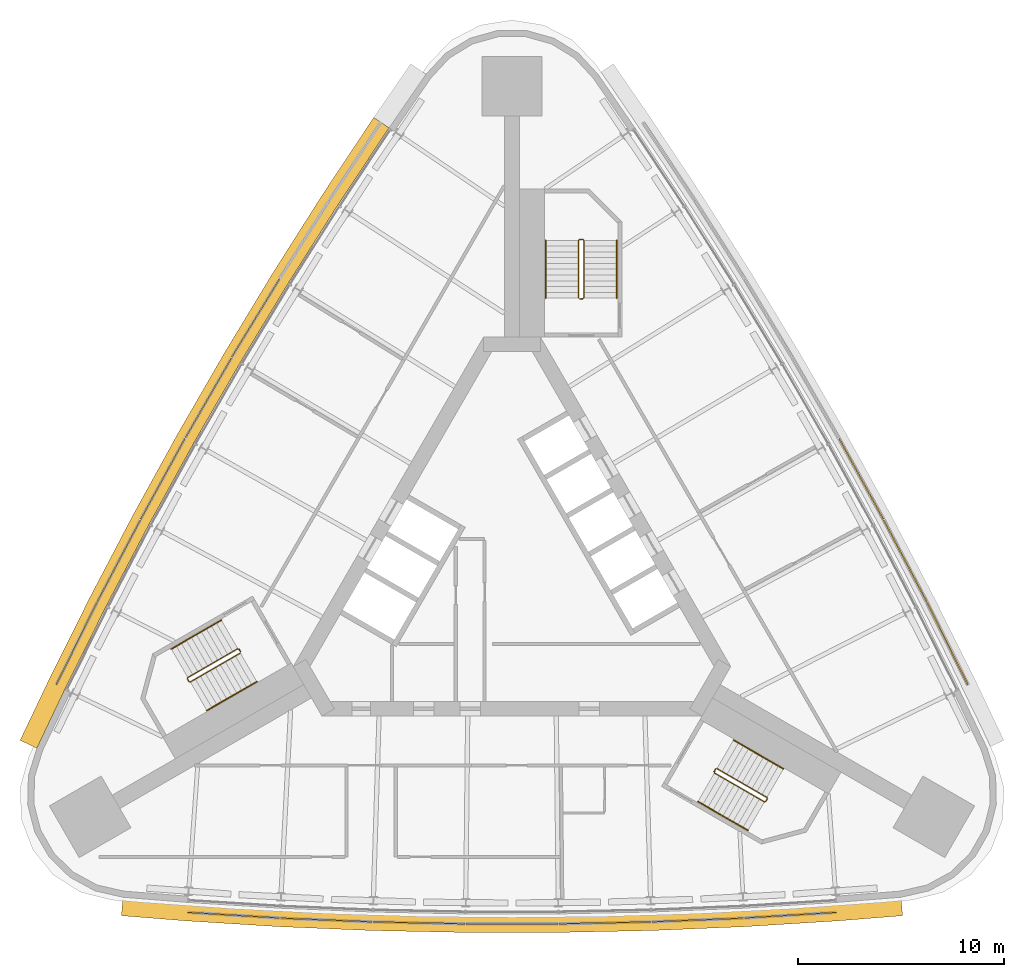
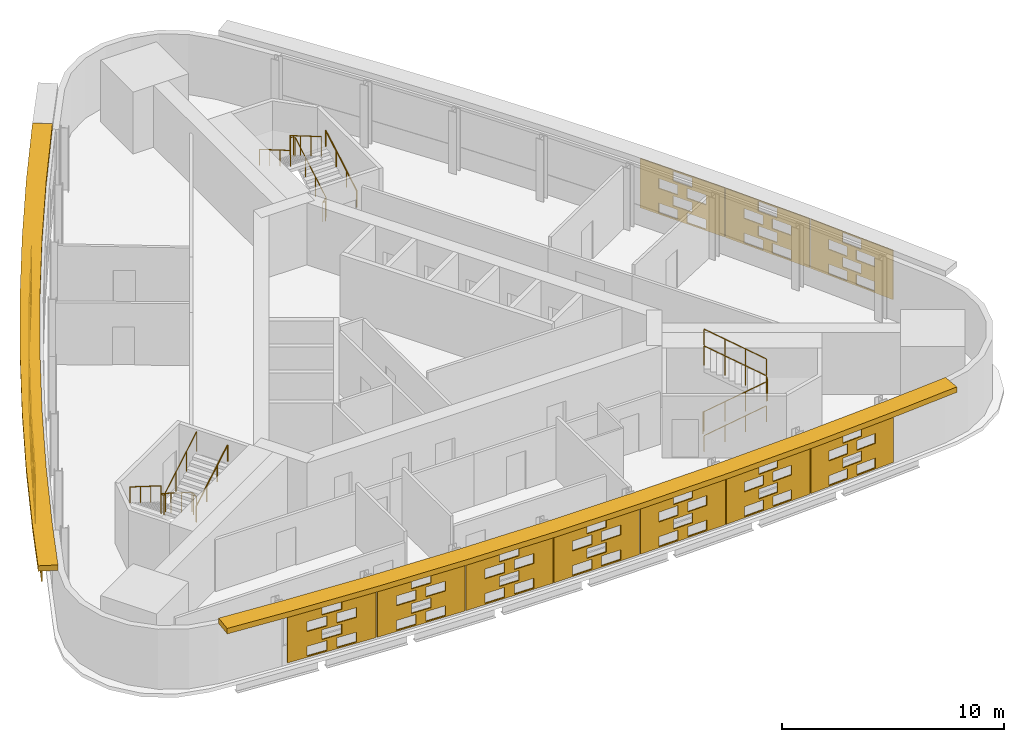
# One storey, part 11 of 12: 17 shading devices, 9 railings.
"""IFC4 building model written with IfcOpenShell, lengths in metres."""

from ifc_helpers import new_model, si_unit, direction, frame, origin, origin_2d, place, context, subcontext, project, spatial, polyline, circle, outline, extrude, material, material_profile, profile_set, type_object, element, save


model = new_model("IFC4")

# Units and contexts
model_context = context("Model", 3, precision=1e-05, world=origin(), true_north=direction((0.0, 1.0)))
body_context = subcontext(model_context, "Body", "Model", "MODEL_VIEW")
ifc_project = project(units=[si_unit("LENGTHUNIT", "METRE"), si_unit("AREAUNIT", "SQUARE_METRE"), si_unit("VOLUMEUNIT", "CUBIC_METRE"), si_unit("PLANEANGLEUNIT", "RADIAN"), si_unit("MASSUNIT", "GRAM", prefix="KILO")], contexts=[model_context])

# Site, building, storey
site_placement = place(None, origin())
site = spatial("IfcSite", under=ifc_project, at=site_placement, CompositionType="ELEMENT")
building_placement = place(site_placement, origin())
building = spatial("IfcBuilding", under=site, at=building_placement, Name="Noor Cloister Tower", CompositionType="ELEMENT")
storey_placement = place(building_placement, frame((0.0, 0.0, 150.89990234375)))
storey = spatial("IfcBuildingStorey", under=building, at=storey_placement, Name="L38", CompositionType="ELEMENT", Elevation=150.89990234375)

# Shading devices
ifc_material_1 = material(Name="Limestone", Category="masonry")
ifc_material_profile = material_profile(ifc_material_1, outline(polyline([(-2.22998046875, -1.35009765625), (2.22998046875, -1.35009765625), (2.22998046875, 1.35009765625), (-2.22998046875, 1.35009765625), (-2.22998046875, -1.35009765625)]), holes=[polyline([(-1.25, -1.282470703125), (-0.25, -1.282470703125), (-0.25, -0.742431640625), (-1.25, -0.742431640625), (-1.25, -1.282470703125)]), polyline([(0.25, -1.282470703125), (1.25, -1.282470703125), (1.25, -0.742431640625), (0.25, -0.742431640625), (0.25, -1.282470703125)]), polyline([(-0.5, -0.607421875), (0.5, -0.607421875), (0.5, -0.0673828125), (-0.5, -0.0673828125), (-0.5, -0.607421875)]), polyline([(-1.25, 0.0673828125), (-0.25, 0.0673828125), (-0.25, 0.607421875), (-1.25, 0.607421875), (-1.25, 0.0673828125)]), polyline([(0.25, 0.0673828125), (1.25, 0.0673828125), (1.25, 0.607421875), (0.25, 0.607421875), (0.25, 0.0673828125)]), polyline([(-0.5, 0.742431640625), (0.5, 0.742431640625), (0.5, 1.282470703125), (-0.5, 1.282470703125), (-0.5, 0.742431640625)])]), Name="Woven screen 30 percent open")
ifc_profile_set = profile_set([ifc_material_profile], Name="Limestone")
shading_device_type_1 = type_object("IfcShadingDeviceType", Name="SCREEN woven limestone 30 percent open", PredefinedType="USERDEFINED", material=ifc_profile_set)
for number, where, z_axis, x_axis, name in (
    (1, (-12.4150390625, 12.3740234375, 1.85009765625), (-0.853884327381, 0.520462828118, 0.0), (-0.520462828118, -0.853884327381, 0.0), "SCREEN L38 3"),
    (2, (-14.7099609375, 8.49267578125, 1.85009765625), (-0.865982457891, 0.500074377092, 0.0), (-0.500074377092, -0.865982457891, 0.0), "SCREEN L38 4"),
):
    element("IfcShadingDevice", number, at=place(storey_placement, frame(where, z_axis=z_axis, x_axis=x_axis)), inside=storey, type_object=shading_device_type_1, Name=name, ObjectType="SCREEN", PredefinedType="USERDEFINED", context=body_context, shape_type="SweptSolid", body=[
        extrude(outline(polyline([(-2.22998046875, -1.35009765625), (2.22998046875, -1.35009765625), (2.22998046875, 1.35009765625), (-2.22998046875, 1.35009765625), (-2.22998046875, -1.35009765625)]), holes=[polyline([(-1.25, -1.282470703125), (-0.25, -1.282470703125), (-0.25, -0.742431640625), (-1.25, -0.742431640625), (-1.25, -1.282470703125)]), polyline([(0.25, -1.282470703125), (1.25, -1.282470703125), (1.25, -0.742431640625), (0.25, -0.742431640625), (0.25, -1.282470703125)]), polyline([(-0.5, -0.607421875), (0.5, -0.607421875), (0.5, -0.0673828125), (-0.5, -0.0673828125), (-0.5, -0.607421875)]), polyline([(-1.25, 0.0673828125), (-0.25, 0.0673828125), (-0.25, 0.607421875), (-1.25, 0.607421875), (-1.25, 0.0673828125)]), polyline([(0.25, 0.0673828125), (1.25, 0.0673828125), (1.25, 0.607421875), (0.25, 0.607421875), (0.25, 0.0673828125)]), polyline([(-0.5, 0.742431640625), (0.5, 0.742431640625), (0.5, 1.282470703125), (-0.5, 1.282470703125), (-0.5, 0.742431640625)])]), origin(), (0.0, 0.0, 1.0), 0.06005859375),
    ])
for number, where, z_axis, x_axis, name in (
    (3, (-16.923828125, 4.564697265625, 1.85009765625), (-0.876645997325, 0.481135942718, 0.0), (-0.481135942718, -0.876645997325, 0.0), "SCREEN L38 5"),
    (4, (-19.055908203125, 0.591552734375, 1.85009765625), (-0.885271944608, 0.465073740486, 0.0), (-0.465073740486, -0.885271944608, 0.0), "SCREEN L38 6"),
):
    element("IfcShadingDevice", number, at=place(storey_placement, frame(where, z_axis=z_axis, x_axis=x_axis)), inside=storey, type_object=shading_device_type_1, Name=name, ObjectType="SCREEN", PredefinedType="USERDEFINED", context=body_context, shape_type="SweptSolid", body=[
        extrude(outline(polyline([(-2.22998046875, -1.35009765625), (2.22998046875, -1.35009765625), (2.22998046875, 1.35009765625), (-2.22998046875, 1.35009765625), (-2.22998046875, -1.35009765625)]), holes=[polyline([(-1.25, -1.282470703125), (-0.25, -1.282470703125), (-0.25, -0.742431640625), (-1.25, -0.742431640625), (-1.25, -1.282470703125)]), polyline([(0.25, -1.282470703125), (1.25, -1.282470703125), (1.25, -0.742431640625), (0.25, -0.742431640625), (0.25, -1.282470703125)]), polyline([(-0.5, -0.607421875), (0.5, -0.607421875), (0.5, -0.0673828125), (-0.5, -0.0673828125), (-0.5, -0.607421875)]), polyline([(-1.25, 0.0673828125), (-0.25, 0.0673828125), (-0.25, 0.607421875), (-1.25, 0.607421875), (-1.25, 0.0673828125)]), polyline([(0.25, 0.0673828125), (1.25, 0.0673828125), (1.25, 0.607421875), (0.25, 0.607421875), (0.25, 0.0673828125)]), polyline([(-0.5, 0.742431640625), (0.5, 0.742431640625), (0.5, 1.282470703125), (-0.5, 1.282470703125), (-0.5, 0.742431640625)])]), origin(), (0.0, 0.0, 1.0), 0.059814453125),
    ])
for number, where, z_axis, x_axis, name in (
    (5, (-21.10498046875, -3.4248046875, 1.85009765625), (-0.896050438544, 0.443952262733, 0.0), (-0.443952262733, -0.896050438544, 0.0), "SCREEN L38 7"),
    (6, (-13.5185546875, -16.56494140625, 1.85009765625), (-0.060862570451, -0.998146155389, 0.0), (0.998146155389, -0.060862570451, 0.0), "SCREEN L38 1"),
    (7, (-9.015625, -16.798583984375, 1.85009765625), (-0.040616861577, -0.999174794796, 0.0), (0.999174794796, -0.040616861577, 0.0), "SCREEN L38 2"),
    (8, (-4.5087890625, -16.938720703125, 1.85009765625), (-0.020321006241, -0.999793507033, 0.0), (0.999793507033, -0.020321006241, 0.0), "SCREEN L38 3"),
):
    element("IfcShadingDevice", number, at=place(storey_placement, frame(where, z_axis=z_axis, x_axis=x_axis)), inside=storey, type_object=shading_device_type_1, Name=name, ObjectType="SCREEN", PredefinedType="USERDEFINED", context=body_context, shape_type="SweptSolid", body=[
        extrude(outline(polyline([(-2.22998046875, -1.35009765625), (2.22998046875, -1.35009765625), (2.22998046875, 1.35009765625), (-2.22998046875, 1.35009765625), (-2.22998046875, -1.35009765625)]), holes=[polyline([(-1.25, -1.282470703125), (-0.25, -1.282470703125), (-0.25, -0.742431640625), (-1.25, -0.742431640625), (-1.25, -1.282470703125)]), polyline([(0.25, -1.282470703125), (1.25, -1.282470703125), (1.25, -0.742431640625), (0.25, -0.742431640625), (0.25, -1.282470703125)]), polyline([(-0.5, -0.607421875), (0.5, -0.607421875), (0.5, -0.0673828125), (-0.5, -0.0673828125), (-0.5, -0.607421875)]), polyline([(-1.25, 0.0673828125), (-0.25, 0.0673828125), (-0.25, 0.607421875), (-1.25, 0.607421875), (-1.25, 0.0673828125)]), polyline([(0.25, 0.0673828125), (1.25, 0.0673828125), (1.25, 0.607421875), (0.25, 0.607421875), (0.25, 0.0673828125)]), polyline([(-0.5, 0.742431640625), (0.5, 0.742431640625), (0.5, 1.282470703125), (-0.5, 1.282470703125), (-0.5, 0.742431640625)])]), origin(), (0.0, 0.0, 1.0), 0.06005859375),
    ])
shading_device_1_placement = place(storey_placement, frame((0.0, -16.985595703125, 1.85009765625), z_axis=(0.0, -1.0, 0.0), x_axis=(1.0, 0.0, 0.0)))
element("IfcShadingDevice", 9, at=shading_device_1_placement, inside=storey, type_object=shading_device_type_1, Name="SCREEN L38 4", ObjectType="SCREEN", PredefinedType="USERDEFINED", context=body_context, shape_type="SweptSolid", body=[
    extrude(outline(polyline([(-2.22998046875, -1.35009765625), (2.22998046875, -1.35009765625), (2.22998046875, 1.35009765625), (-2.22998046875, 1.35009765625), (-2.22998046875, -1.35009765625)]), holes=[polyline([(-1.25, -1.282470703125), (-0.25, -1.282470703125), (-0.25, -0.742431640625), (-1.25, -0.742431640625), (-1.25, -1.282470703125)]), polyline([(0.25, -1.282470703125), (1.25, -1.282470703125), (1.25, -0.742431640625), (0.25, -0.742431640625), (0.25, -1.282470703125)]), polyline([(-0.5, -0.607421875), (0.5, -0.607421875), (0.5, -0.0673828125), (-0.5, -0.0673828125), (-0.5, -0.607421875)]), polyline([(-1.25, 0.0673828125), (-0.25, 0.0673828125), (-0.25, 0.607421875), (-1.25, 0.607421875), (-1.25, 0.0673828125)]), polyline([(0.25, 0.0673828125), (1.25, 0.0673828125), (1.25, 0.607421875), (0.25, 0.607421875), (0.25, 0.0673828125)]), polyline([(-0.5, 0.742431640625), (0.5, 0.742431640625), (0.5, 1.282470703125), (-0.5, 1.282470703125), (-0.5, 0.742431640625)])]), origin(), (0.0, 0.0, 1.0), 0.059814453125),
])
for number, where, z_axis, x_axis, name in (
    (10, (4.5087890625, -16.938720703125, 1.85009765625), (0.020321006241, -0.999793507033, 0.0), (0.999793507033, 0.020321006241, 0.0), "SCREEN L38 5"),
    (11, (9.015625, -16.798583984375, 1.85009765625), (0.040616861577, -0.999174794796, 0.0), (0.999174794796, 0.040616861577, 0.0), "SCREEN L38 6"),
    (12, (13.5185546875, -16.56494140625, 1.85009765625), (0.060862570451, -0.998146155389, 0.0), (0.998146155389, 0.060862570451, 0.0), "SCREEN L38 7"),
    (13, (21.10498046875, -3.4248046875, 1.85009765625), (0.896050438544, 0.443952262733, 0.0), (-0.443952262733, 0.896050438544, 0.0), "SCREEN L38 1"),
):
    element("IfcShadingDevice", number, at=place(storey_placement, frame(where, z_axis=z_axis, x_axis=x_axis)), inside=storey, type_object=shading_device_type_1, Name=name, ObjectType="SCREEN", PredefinedType="USERDEFINED", context=body_context, shape_type="SweptSolid", body=[
        extrude(outline(polyline([(-2.22998046875, -1.35009765625), (2.22998046875, -1.35009765625), (2.22998046875, 1.35009765625), (-2.22998046875, 1.35009765625), (-2.22998046875, -1.35009765625)]), holes=[polyline([(-1.25, -1.282470703125), (-0.25, -1.282470703125), (-0.25, -0.742431640625), (-1.25, -0.742431640625), (-1.25, -1.282470703125)]), polyline([(0.25, -1.282470703125), (1.25, -1.282470703125), (1.25, -0.742431640625), (0.25, -0.742431640625), (0.25, -1.282470703125)]), polyline([(-0.5, -0.607421875), (0.5, -0.607421875), (0.5, -0.0673828125), (-0.5, -0.0673828125), (-0.5, -0.607421875)]), polyline([(-1.25, 0.0673828125), (-0.25, 0.0673828125), (-0.25, 0.607421875), (-1.25, 0.607421875), (-1.25, 0.0673828125)]), polyline([(0.25, 0.0673828125), (1.25, 0.0673828125), (1.25, 0.607421875), (0.25, 0.607421875), (0.25, 0.0673828125)]), polyline([(-0.5, 0.742431640625), (0.5, 0.742431640625), (0.5, 1.282470703125), (-0.5, 1.282470703125), (-0.5, 0.742431640625)])]), origin(), (0.0, 0.0, 1.0), 0.06005859375),
    ])
for number, where, z_axis, x_axis, name in (
    (14, (19.055908203125, 0.591552734375, 1.85009765625), (0.885271944608, 0.465073740486, 0.0), (-0.465073740486, 0.885271944608, 0.0), "SCREEN L38 2"),
    (15, (16.923828125, 4.564697265625, 1.85009765625), (0.876645997325, 0.481135942718, 0.0), (-0.481135942718, 0.876645997325, 0.0), "SCREEN L38 3"),
):
    element("IfcShadingDevice", number, at=place(storey_placement, frame(where, z_axis=z_axis, x_axis=x_axis)), inside=storey, type_object=shading_device_type_1, Name=name, ObjectType="SCREEN", PredefinedType="USERDEFINED", context=body_context, shape_type="SweptSolid", body=[
        extrude(outline(polyline([(-2.22998046875, -1.35009765625), (2.22998046875, -1.35009765625), (2.22998046875, 1.35009765625), (-2.22998046875, 1.35009765625), (-2.22998046875, -1.35009765625)]), holes=[polyline([(-1.25, -1.282470703125), (-0.25, -1.282470703125), (-0.25, -0.742431640625), (-1.25, -0.742431640625), (-1.25, -1.282470703125)]), polyline([(0.25, -1.282470703125), (1.25, -1.282470703125), (1.25, -0.742431640625), (0.25, -0.742431640625), (0.25, -1.282470703125)]), polyline([(-0.5, -0.607421875), (0.5, -0.607421875), (0.5, -0.0673828125), (-0.5, -0.0673828125), (-0.5, -0.607421875)]), polyline([(-1.25, 0.0673828125), (-0.25, 0.0673828125), (-0.25, 0.607421875), (-1.25, 0.607421875), (-1.25, 0.0673828125)]), polyline([(0.25, 0.0673828125), (1.25, 0.0673828125), (1.25, 0.607421875), (0.25, 0.607421875), (0.25, 0.0673828125)]), polyline([(-0.5, 0.742431640625), (0.5, 0.742431640625), (0.5, 1.282470703125), (-0.5, 1.282470703125), (-0.5, 0.742431640625)])]), origin(), (0.0, 0.0, 1.0), 0.059814453125),
    ])
ifc_material_2 = material(Name="Limestone", Category="masonry")
shading_device_type_2 = type_object("IfcShadingDeviceType", Name="SUNSHADE limestone band 900", PredefinedType="USERDEFINED", material=ifc_material_2)
shading_device_2_placement = place(storey_placement, frame((0.0, 0.0, 3.300048828125)))
element("IfcShadingDevice", 16, at=shading_device_2_placement, inside=storey, type_object=shading_device_type_2, Name="SUNSHADE L38 1", ObjectType="SUNSHADE", PredefinedType="USERDEFINED", context=body_context, shape_type="SweptSolid", body=[
    extrude(outline(polyline([(-6.717529296875, 22.113525390625), (-9.21044921875, 18.356201171875), (-11.630126953125, 14.539794921875), (-13.969970703125, 10.67431640625), (-16.229248046875, 6.76123046875), (-18.406982421875, 2.802001953125), (-20.502197265625, -1.201416015625), (-22.51318359375, -5.246337890625), (-23.87353515625, -8.10791015625), (-23.060791015625, -8.494384765625), (-21.703857421875, -5.639892578125), (-19.700439453125, -1.610595703125), (-17.61376953125, 2.37646484375), (-15.445068359375, 6.3193359375), (-13.195068359375, 10.21630859375), (-10.864990234375, 14.06591796875), (-8.455322265625, 17.8662109375), (-5.967529296875, 21.615966796875), (-6.717529296875, 22.113525390625)])), origin(), (0.0, 0.0, 1.0), 0.300048828125),
])
shading_device_3_placement = place(storey_placement, frame((0.0, 0.0, 3.300048828125)))
element("IfcShadingDevice", 17, at=shading_device_3_placement, inside=storey, type_object=shading_device_type_2, Name="SUNSHADE L38 2", ObjectType="SUNSHADE", PredefinedType="USERDEFINED", context=body_context, shape_type="SweptSolid", body=[
    extrude(outline(polyline([(-18.95849609375, -16.62109375), (-15.800048828125, -16.873779296875), (-11.29150390625, -17.154541015625), (-6.77685546875, -17.341796875), (-2.25927734375, -17.435546875), (2.25927734375, -17.435546875), (6.77685546875, -17.341796875), (11.29150390625, -17.154541015625), (15.800048828125, -16.873779296875), (18.95849609375, -16.62109375), (18.88671875, -15.72412109375), (15.736083984375, -15.97607421875), (11.244873046875, -16.255615234375), (6.7490234375, -16.442138671875), (2.25, -16.535400390625), (-2.25, -16.535400390625), (-6.7490234375, -16.442138671875), (-11.244873046875, -16.255615234375), (-15.736083984375, -15.97607421875), (-18.88671875, -15.72412109375), (-18.95849609375, -16.62109375)])), origin(), (0.0, 0.0, 1.0), 0.300048828125),
])

# Railings
ifc_material_3 = material(Name="Stainless steel", Category="steel")
railing_type_1 = type_object("IfcRailingType", Name="Stair guard 1100", PredefinedType="GUARDRAIL", material=ifc_material_3)
railing_1_placement = place(storey_placement, frame((3.435546875, 13.306396484375, 0.0)))
element("IfcRailing", 18, at=railing_1_placement, inside=storey, type_object=railing_type_1, Name="Stair guard ST1 L38", PredefinedType="GUARDRAIL", context=body_context, shape_type="SweptSolid", body=[
    extrude(circle(Radius=0.02392578125, at=origin_2d()), frame((0.0, 0.0, 1.076171875), z_axis=(-1.0, 0.0, 0.0), x_axis=(0.0, -1.0, 0.0)), (0.0, 0.0, 1.0), 0.14990234375),
    extrude(circle(Radius=0.02392578125, at=origin_2d()), frame((-0.14990234375, 0.0, 1.076171875), z_axis=(0.759432192796, 0.190089865108, 0.622196582865), x_axis=(-0.242814311512, 0.970072785993, 0.0)), (0.0, 0.0, 1.0), 0.26318359375),
    extrude(circle(Radius=0.02392578125, at=origin_2d()), frame((0.050048828125, 0.050048828125, 1.23974609375), z_axis=(0.0, 0.863393664356, 0.504530851732), x_axis=(-1.0, 0.0, 0.0)), (0.0, 0.0, 1.0), 3.2431640625),
    extrude(circle(Radius=0.02392578125, at=origin_2d()), frame((0.050048828125, 2.85009765625, 2.8759765625), z_axis=(-0.708833529934, 0.705375805398, 0.0), x_axis=(-0.705375805398, -0.708833529934, 0.0)), (0.0, 0.0, 1.0), 0.070556640625),
    extrude(circle(Radius=0.02392578125, at=origin_2d()), frame((0.0, 2.89990234375, 2.8759765625), z_axis=(-1.0, 0.0, 0.0), x_axis=(0.0, -1.0, 0.0)), (0.0, 0.0, 1.0), 0.14990234375),
    extrude(circle(Radius=0.02392578125, at=origin_2d()), frame((-0.14990234375, 2.89990234375, 2.8759765625), z_axis=(-0.280916556609, -0.279546231943, 0.91811752648), x_axis=(0.705375805398, -0.708833529934, 0.0)), (0.0, 0.0, 1.0), 0.17822265625),
    extrude(circle(Radius=0.02392578125, at=origin_2d()), frame((-0.199951171875, 2.85009765625, 3.03955078125), z_axis=(0.0, -0.863360870873, 0.504586966384), x_axis=(1.0, 0.0, 0.0)), (0.0, 0.0, 1.0), 3.2431640625),
    extrude(circle(Radius=0.02099609375, at=origin_2d()), origin(), (0.0, 0.0, 1.0), 1.052001953125),
    extrude(circle(Radius=0.02099609375, at=origin_2d()), frame((-0.14990234375, 0.0, 0.0)), (0.0, 0.0, 1.0), 1.052001953125),
    extrude(circle(Radius=0.02099609375, at=origin_2d()), frame((0.050048828125, 0.050048828125, 0.163818359375)), (0.0, 0.0, 1.0), 1.052001953125),
    extrude(circle(Radius=0.02099609375, at=origin_2d()), frame((0.050048828125, 0.9833984375, 0.709228515625)), (0.0, 0.0, 1.0), 1.052001953125),
    extrude(circle(Radius=0.02099609375, at=origin_2d()), frame((0.050048828125, 1.916748046875, 1.254638671875)), (0.0, 0.0, 1.0), 1.052001953125),
    extrude(circle(Radius=0.02099609375, at=origin_2d()), frame((0.050048828125, 2.85009765625, 1.800048828125)), (0.0, 0.0, 1.0), 1.052001953125),
    extrude(circle(Radius=0.02099609375, at=origin_2d()), frame((0.0, 2.89990234375, 1.800048828125)), (0.0, 0.0, 1.0), 1.052001953125),
    extrude(circle(Radius=0.02099609375, at=origin_2d()), frame((-0.14990234375, 2.89990234375, 1.800048828125)), (0.0, 0.0, 1.0), 1.052001953125),
    extrude(circle(Radius=0.02099609375, at=origin_2d()), frame((-0.199951171875, 2.85009765625, 1.963623046875)), (0.0, 0.0, 1.0), 1.052001953125),
    extrude(circle(Radius=0.02099609375, at=origin_2d()), frame((-0.199951171875, 1.916748046875, 2.509033203125)), (0.0, 0.0, 1.0), 1.052001953125),
    extrude(circle(Radius=0.02099609375, at=origin_2d()), frame((-0.199951171875, 0.9833984375, 3.0546875)), (0.0, 0.0, 1.0), 1.052001953125),
    extrude(circle(Radius=0.02099609375, at=origin_2d()), frame((-0.199951171875, 0.050048828125, 3.60009765625)), (0.0, 0.0, 1.0), 1.052001953125),
])
railing_2_placement = place(storey_placement, frame((-13.241455078125, -3.677734375, 0.0)))
element("IfcRailing", 19, at=railing_2_placement, inside=storey, type_object=railing_type_1, Name="Stair guard ST2 L38", PredefinedType="GUARDRAIL", context=body_context, shape_type="SweptSolid", body=[
    extrude(circle(Radius=0.02392578125, at=origin_2d()), frame((0.0, 0.0, 1.076171875), z_axis=(0.499112439033, -0.866537231285, 0.0), x_axis=(0.866537231285, 0.499112439033, 0.0)), (0.0, 0.0, 1.0), 0.150146484375),
    extrude(circle(Radius=0.02392578125, at=origin_2d()), frame((0.074951171875, -0.130126953125, 1.076171875), z_axis=(-0.544251820729, 0.562795323991, 0.622134534428), x_axis=(-0.718850276695, -0.695164929852, 0.0)), (0.0, 0.0, 1.0), 0.263427734375),
    extrude(circle(Radius=0.02392578125, at=origin_2d()), frame((-0.068359375, 0.01806640625, 1.23974609375), z_axis=(-0.74771821388, -0.431677027627, 0.504551698492), x_axis=(0.49998411664, -0.866034573852, 0.0)), (0.0, 0.0, 1.0), 3.242919921875),
    extrude(circle(Radius=0.02392578125, at=origin_2d()), frame((-2.4931640625, -1.3818359375, 2.8759765625), z_axis=(-0.258736085224, -0.965948051503, 0.0), x_axis=(0.965948051503, -0.258736085224, 0.0)), (0.0, 0.0, 1.0), 0.07080078125),
    extrude(circle(Radius=0.02392578125, at=origin_2d()), frame((-2.511474609375, -1.4501953125, 2.8759765625), z_axis=(0.499816412211, -0.866131372301, 0.0), x_axis=(0.866131372301, 0.499816412211, 0.0)), (0.0, 0.0, 1.0), 0.14990234375),
    extrude(circle(Radius=0.02392578125, at=origin_2d()), frame((-2.4365234375, -1.580078125, 2.8759765625), z_axis=(0.383552647116, -0.102737316192, 0.917786691313), x_axis=(0.258736085224, 0.965948051503, 0.0)), (0.0, 0.0, 1.0), 0.17822265625),
    extrude(circle(Radius=0.02392578125, at=origin_2d()), frame((-2.3681640625, -1.598388671875, 3.03955078125), z_axis=(0.747665513933, 0.431721881032, 0.504591415616), x_axis=(-0.500049511043, 0.865996816683, 0.0)), (0.0, 0.0, 1.0), 3.2431640625),
    extrude(circle(Radius=0.02099609375, at=origin_2d()), origin(), (0.0, 0.0, 1.0), 1.052001953125),
    extrude(circle(Radius=0.02099609375, at=origin_2d()), frame((0.074951171875, -0.130126953125, 0.0)), (0.0, 0.0, 1.0), 1.052001953125),
    extrude(circle(Radius=0.02099609375, at=origin_2d()), frame((-0.068359375, 0.01806640625, 0.163818359375)), (0.0, 0.0, 1.0), 1.052001953125),
    extrude(circle(Radius=0.02099609375, at=origin_2d()), frame((-0.876708984375, -0.448486328125, 0.709228515625)), (0.0, 0.0, 1.0), 1.052001953125),
    extrude(circle(Radius=0.02099609375, at=origin_2d()), frame((-1.684814453125, -0.915283203125, 1.254638671875)), (0.0, 0.0, 1.0), 1.052001953125),
    extrude(circle(Radius=0.02099609375, at=origin_2d()), frame((-2.4931640625, -1.3818359375, 1.800048828125)), (0.0, 0.0, 1.0), 1.052001953125),
    extrude(circle(Radius=0.02099609375, at=origin_2d()), frame((-2.511474609375, -1.4501953125, 1.800048828125)), (0.0, 0.0, 1.0), 1.052001953125),
    extrude(circle(Radius=0.02099609375, at=origin_2d()), frame((-2.4365234375, -1.580078125, 1.800048828125)), (0.0, 0.0, 1.0), 1.052001953125),
    extrude(circle(Radius=0.02099609375, at=origin_2d()), frame((-2.3681640625, -1.598388671875, 1.963623046875)), (0.0, 0.0, 1.0), 1.052001953125),
    extrude(circle(Radius=0.02099609375, at=origin_2d()), frame((-1.559814453125, -1.131591796875, 2.509033203125)), (0.0, 0.0, 1.0), 1.052001953125),
    extrude(circle(Radius=0.02099609375, at=origin_2d()), frame((-0.751708984375, -0.6650390625, 3.0546875)), (0.0, 0.0, 1.0), 1.052001953125),
    extrude(circle(Radius=0.02099609375, at=origin_2d()), frame((0.056640625, -0.1982421875, 3.60009765625)), (0.0, 0.0, 1.0), 1.052001953125),
])
railing_3_placement = place(storey_placement, frame((9.805908203125, -9.628662109375, 0.0)))
element("IfcRailing", 20, at=railing_3_placement, inside=storey, type_object=railing_type_1, Name="Stair guard ST3 L38", PredefinedType="GUARDRAIL", context=body_context, shape_type="SweptSolid", body=[
    extrude(circle(Radius=0.02392578125, at=origin_2d()), frame((0.0, 0.0, 1.076171875), z_axis=(0.499112439033, 0.866537231285, 0.0), x_axis=(-0.866537231285, 0.499112439033, 0.0)), (0.0, 0.0, 1.0), 0.150146484375),
    extrude(circle(Radius=0.02392578125, at=origin_2d()), frame((0.074951171875, 0.130126953125, 1.076171875), z_axis=(-0.215090770512, -0.752817696793, 0.622094426784), x_axis=(0.961523947641, -0.274721127897, 0.0)), (0.0, 0.0, 1.0), 0.263427734375),
    extrude(circle(Radius=0.02392578125, at=origin_2d()), frame((0.018310546875, -0.068115234375, 1.23974609375), z_axis=(0.747693913401, -0.431738279637, 0.504535300807), x_axis=(0.500049511043, 0.865996816683, 0.0)), (0.0, 0.0, 1.0), 3.2431640625),
    extrude(circle(Radius=0.02392578125, at=origin_2d()), frame((2.443115234375, -1.46826171875, 2.8759765625), z_axis=(0.965948051503, 0.258736085224, 0.0), x_axis=(-0.258736085224, 0.965948051503, 0.0)), (0.0, 0.0, 1.0), 0.07080078125),
    extrude(circle(Radius=0.02392578125, at=origin_2d()), frame((2.511474609375, -1.449951171875, 2.8759765625), z_axis=(0.499816412211, 0.866131372301, 0.0), x_axis=(-0.866131372301, 0.499816412211, 0.0)), (0.0, 0.0, 1.0), 0.14990234375),
    extrude(circle(Radius=0.02392578125, at=origin_2d()), frame((2.58642578125, -1.320068359375, 2.8759765625), z_axis=(-0.102737316192, 0.383552647116, 0.917786691313), x_axis=(-0.965948051503, -0.258736085224, 0.0)), (0.0, 0.0, 1.0), 0.17822265625),
    extrude(circle(Radius=0.02392578125, at=origin_2d()), frame((2.568115234375, -1.251708984375, 3.03955078125), z_axis=(-0.747689811644, 0.431660630283, 0.504607813879), x_axis=(-0.49998411664, -0.866034573852, 0.0)), (0.0, 0.0, 1.0), 3.2431640625),
    extrude(circle(Radius=0.02099609375, at=origin_2d()), origin(), (0.0, 0.0, 1.0), 1.052001953125),
    extrude(circle(Radius=0.02099609375, at=origin_2d()), frame((0.074951171875, 0.130126953125, 0.0)), (0.0, 0.0, 1.0), 1.052001953125),
    extrude(circle(Radius=0.02099609375, at=origin_2d()), frame((0.018310546875, -0.068115234375, 0.163818359375)), (0.0, 0.0, 1.0), 1.052001953125),
    extrude(circle(Radius=0.02099609375, at=origin_2d()), frame((0.82666015625, -0.534912109375, 0.709228515625)), (0.0, 0.0, 1.0), 1.052001953125),
    extrude(circle(Radius=0.02099609375, at=origin_2d()), frame((1.634765625, -1.00146484375, 1.254638671875)), (0.0, 0.0, 1.0), 1.052001953125),
    extrude(circle(Radius=0.02099609375, at=origin_2d()), frame((2.443115234375, -1.46826171875, 1.800048828125)), (0.0, 0.0, 1.0), 1.052001953125),
    extrude(circle(Radius=0.02099609375, at=origin_2d()), frame((2.511474609375, -1.449951171875, 1.800048828125)), (0.0, 0.0, 1.0), 1.052001953125),
    extrude(circle(Radius=0.02099609375, at=origin_2d()), frame((2.58642578125, -1.320068359375, 1.800048828125)), (0.0, 0.0, 1.0), 1.052001953125),
    extrude(circle(Radius=0.02099609375, at=origin_2d()), frame((2.568115234375, -1.251708984375, 1.963623046875)), (0.0, 0.0, 1.0), 1.052001953125),
    extrude(circle(Radius=0.02099609375, at=origin_2d()), frame((1.759765625, -0.78515625, 2.509033203125)), (0.0, 0.0, 1.0), 1.052001953125),
    extrude(circle(Radius=0.02099609375, at=origin_2d()), frame((0.95166015625, -0.318359375, 3.0546875)), (0.0, 0.0, 1.0), 1.052001953125),
    extrude(circle(Radius=0.02099609375, at=origin_2d()), frame((0.143310546875, 0.148193359375, 3.60009765625)), (0.0, 0.0, 1.0), 1.052001953125),
])
ifc_material_4 = material(Name="Stainless steel", Category="steel")
railing_type_2 = type_object("IfcRailingType", Name="Stair handrail 900", PredefinedType="HANDRAIL", material=ifc_material_4)
railing_4_placement = place(storey_placement, frame((5.085693359375, 13.3564453125, 0.163818359375)))
element("IfcRailing", 21, at=railing_4_placement, inside=storey, type_object=railing_type_2, Name="Stair handrail ST1 L38 1", PredefinedType="HANDRAIL", context=body_context, shape_type="SweptSolid", body=[
    extrude(circle(Radius=0.02392578125, at=origin_2d()), frame((0.0, 0.0, 0.8759765625), z_axis=(0.0, 0.863393664356, 0.504530851732), x_axis=(-1.0, 0.0, 0.0)), (0.0, 0.0, 1.0), 3.2431640625),
    extrude(circle(Radius=0.02099609375, at=origin_2d()), origin(), (0.0, 0.0, 1.0), 0.851806640625),
    extrude(circle(Radius=0.02099609375, at=origin_2d()), frame((0.0, 0.933349609375, 0.54541015625)), (0.0, 0.0, 1.0), 0.851806640625),
    extrude(circle(Radius=0.02099609375, at=origin_2d()), frame((0.0, 1.86669921875, 1.0908203125)), (0.0, 0.0, 1.0), 0.851806640625),
    extrude(circle(Radius=0.02099609375, at=origin_2d()), frame((0.0, 2.800048828125, 1.63623046875)), (0.0, 0.0, 1.0), 0.851806640625),
])
railing_5_placement = place(storey_placement, frame((1.6357421875, 16.156494140625, 1.963623046875)))
element("IfcRailing", 22, at=railing_5_placement, inside=storey, type_object=railing_type_2, Name="Stair handrail ST1 L38 2", PredefinedType="HANDRAIL", context=body_context, shape_type="SweptSolid", body=[
    extrude(circle(Radius=0.02392578125, at=origin_2d()), frame((0.0, 0.0, 0.8759765625), z_axis=(0.0, -0.863360870873, 0.504586966384), x_axis=(1.0, 0.0, 0.0)), (0.0, 0.0, 1.0), 3.2431640625),
    extrude(circle(Radius=0.02099609375, at=origin_2d()), origin(), (0.0, 0.0, 1.0), 0.851806640625),
    extrude(circle(Radius=0.02099609375, at=origin_2d()), frame((0.0, -0.933349609375, 0.54541015625)), (0.0, 0.0, 1.0), 0.851806640625),
    extrude(circle(Radius=0.02099609375, at=origin_2d()), frame((0.0, -1.86669921875, 1.091064453125)), (0.0, 0.0, 1.0), 0.851806640625),
    extrude(circle(Radius=0.02099609375, at=origin_2d()), frame((0.0, -2.800048828125, 1.636474609375)), (0.0, 0.0, 1.0), 0.851806640625),
])
railing_6_placement = place(storey_placement, frame((-14.10986328125, -2.27392578125, 0.163818359375)))
element("IfcRailing", 23, at=railing_6_placement, inside=storey, type_object=railing_type_2, Name="Stair handrail ST2 L38 1", PredefinedType="HANDRAIL", context=body_context, shape_type="SweptSolid", body=[
    extrude(circle(Radius=0.02392578125, at=origin_2d()), frame((0.0, 0.0, 0.8759765625), z_axis=(-0.74771821388, -0.431677027627, 0.504551698492), x_axis=(0.49998411664, -0.866034573852, 0.0)), (0.0, 0.0, 1.0), 3.242919921875),
    extrude(circle(Radius=0.02099609375, at=origin_2d()), origin(), (0.0, 0.0, 1.0), 0.851806640625),
    extrude(circle(Radius=0.02099609375, at=origin_2d()), frame((-0.808349609375, -0.466552734375, 0.54541015625)), (0.0, 0.0, 1.0), 0.851806640625),
    extrude(circle(Radius=0.02099609375, at=origin_2d()), frame((-1.616455078125, -0.933349609375, 1.0908203125)), (0.0, 0.0, 1.0), 0.851806640625),
    extrude(circle(Radius=0.02099609375, at=origin_2d()), frame((-2.4248046875, -1.39990234375, 1.63623046875)), (0.0, 0.0, 1.0), 0.851806640625),
])
railing_7_placement = place(storey_placement, frame((-14.8095703125, -6.66162109375, 1.963623046875)))
element("IfcRailing", 24, at=railing_7_placement, inside=storey, type_object=railing_type_2, Name="Stair handrail ST2 L38 2", PredefinedType="HANDRAIL", context=body_context, shape_type="SweptSolid", body=[
    extrude(circle(Radius=0.02392578125, at=origin_2d()), frame((0.0, 0.0, 0.8759765625), z_axis=(0.747689811644, 0.431660630283, 0.504607813879), x_axis=(-0.49998411664, 0.866034573852, 0.0)), (0.0, 0.0, 1.0), 3.2431640625),
    extrude(circle(Radius=0.02099609375, at=origin_2d()), origin(), (0.0, 0.0, 1.0), 0.851806640625),
    extrude(circle(Radius=0.02099609375, at=origin_2d()), frame((0.808349609375, 0.466552734375, 0.54541015625)), (0.0, 0.0, 1.0), 0.851806640625),
    extrude(circle(Radius=0.02099609375, at=origin_2d()), frame((1.616455078125, 0.933349609375, 1.091064453125)), (0.0, 0.0, 1.0), 0.851806640625),
    extrude(circle(Radius=0.02099609375, at=origin_2d()), frame((2.4248046875, 1.39990234375, 1.636474609375)), (0.0, 0.0, 1.0), 0.851806640625),
])
railing_8_placement = place(storey_placement, frame((9.024169921875, -11.08251953125, 0.163818359375)))
element("IfcRailing", 25, at=railing_8_placement, inside=storey, type_object=railing_type_2, Name="Stair handrail ST3 L38 1", PredefinedType="HANDRAIL", context=body_context, shape_type="SweptSolid", body=[
    extrude(circle(Radius=0.02392578125, at=origin_2d()), frame((0.0, 0.0, 0.8759765625), z_axis=(0.74771821388, -0.431677027627, 0.504551698492), x_axis=(0.49998411664, 0.866034573852, 0.0)), (0.0, 0.0, 1.0), 3.242919921875),
    extrude(circle(Radius=0.02099609375, at=origin_2d()), origin(), (0.0, 0.0, 1.0), 0.851806640625),
    extrude(circle(Radius=0.02099609375, at=origin_2d()), frame((0.808349609375, -0.466552734375, 0.54541015625)), (0.0, 0.0, 1.0), 0.851806640625),
    extrude(circle(Radius=0.02099609375, at=origin_2d()), frame((1.616455078125, -0.933349609375, 1.0908203125)), (0.0, 0.0, 1.0), 0.851806640625),
    extrude(circle(Radius=0.02099609375, at=origin_2d()), frame((2.4248046875, -1.39990234375, 1.63623046875)), (0.0, 0.0, 1.0), 0.851806640625),
])
railing_9_placement = place(storey_placement, frame((13.174072265625, -9.49462890625, 1.963623046875)))
element("IfcRailing", 26, at=railing_9_placement, inside=storey, type_object=railing_type_2, Name="Stair handrail ST3 L38 2", PredefinedType="HANDRAIL", context=body_context, shape_type="SweptSolid", body=[
    extrude(circle(Radius=0.02392578125, at=origin_2d()), frame((0.0, 0.0, 0.8759765625), z_axis=(-0.747689811644, 0.431660630283, 0.504607813879), x_axis=(-0.49998411664, -0.866034573852, 0.0)), (0.0, 0.0, 1.0), 3.2431640625),
    extrude(circle(Radius=0.02099609375, at=origin_2d()), origin(), (0.0, 0.0, 1.0), 0.851806640625),
    extrude(circle(Radius=0.02099609375, at=origin_2d()), frame((-0.808349609375, 0.466552734375, 0.54541015625)), (0.0, 0.0, 1.0), 0.851806640625),
    extrude(circle(Radius=0.02099609375, at=origin_2d()), frame((-1.616455078125, 0.933349609375, 1.091064453125)), (0.0, 0.0, 1.0), 0.851806640625),
    extrude(circle(Radius=0.02099609375, at=origin_2d()), frame((-2.4248046875, 1.39990234375, 1.636474609375)), (0.0, 0.0, 1.0), 0.851806640625),
])

save(model, "model.ifc")
